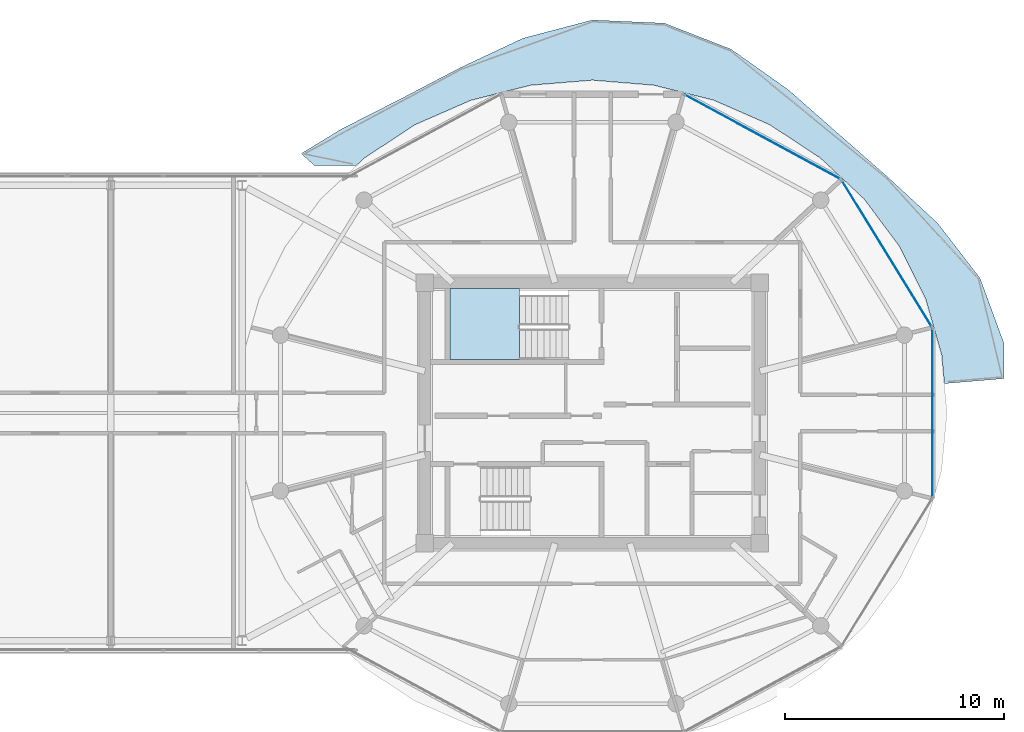
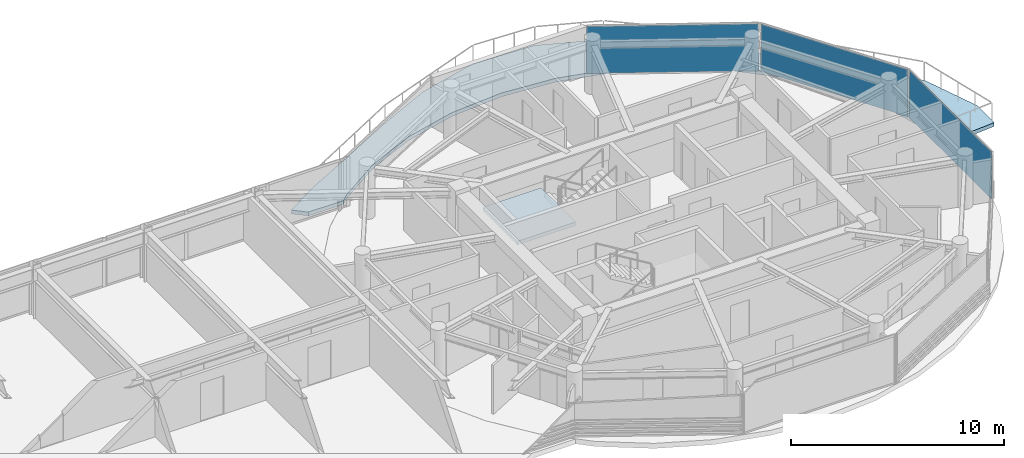
# One storey, part 13 of 23: 3 plates, 2 slabs, 4 elements without a shape of their own.
"""IFC4 building model written with IfcOpenShell, lengths in metres."""

from ifc_helpers import new_model, si_unit, direction, frame, origin, origin_2d, place, context, subcontext, project, spatial, polyline, rectangle, outline, extrude, source, transform, mapped, material, layer, layer_set, type_object, type_shapes, element, aggregate, save


model = new_model("IFC4")

# Units and contexts
model_context = context("Model", 3, precision=1e-05, world=origin(), true_north=direction((0.0, 1.0)))
body_context = subcontext(model_context, "Body", "Model", "MODEL_VIEW")
ifc_project = project(units=[si_unit("LENGTHUNIT", "METRE"), si_unit("AREAUNIT", "SQUARE_METRE"), si_unit("VOLUMEUNIT", "CUBIC_METRE"), si_unit("PLANEANGLEUNIT", "RADIAN"), si_unit("MASSUNIT", "GRAM", prefix="KILO")], contexts=[model_context])

# Site, building, storey
site_placement = place(None, origin())
site = spatial("IfcSite", under=ifc_project, at=site_placement, CompositionType="ELEMENT")
building_placement = place(site_placement, origin())
building = spatial("IfcBuilding", under=site, at=building_placement, Name="Norrkilde Senior Care Towers", CompositionType="ELEMENT")
storey_placement = place(building_placement, frame((0.0, 0.0, 229.14990234375)))
storey = spatial("IfcBuildingStorey", under=building, at=storey_placement, Name="L71", CompositionType="ELEMENT", Elevation=229.14990234375)

# Slab
ifc_material_1 = material(Name="Concrete C50/60", Category="concrete")
ifc_layer_1 = layer(ifc_material_1, 0.215087890625)
ifc_layer_set_1 = layer_set([ifc_layer_1], Name="Concrete C50/60")
slab_type_1 = type_object("IfcSlabType", Name="Sinusoidal Balcony Ribbon Slab 215", PredefinedType="FLOOR", material=ifc_layer_set_1)
slab_1_placement = place(storey_placement, frame((0.0, 0.0, -0.21484375)))
element("IfcSlab", 1, at=slab_1_placement, inside=storey, type_object=slab_type_1, Name="L71 Drum E Swirling Senior Balcony 1", PredefinedType="FLOOR", context=body_context, shape_type="SweptSolid", body=[
    extrude(outline(polyline([(21.95263671875, 15.766845703125), (24.831298828125, 17.118896484375), (28.0, 17.951904296875), (31.28271484375, 17.807373046875), (34.337158203125, 16.61572265625), (36.9619140625, 14.7548828125), (39.266845703125, 12.728271484375), (41.514892578125, 10.758544921875), (43.7705078125, 8.671142578125), (45.7060546875, 6.161865234375), (46.80224609375, 3.1748046875), (46.791259765625, 1.570068359375), (44.079833984375, 1.343505859375), (43.958740234375, 2.640380859375), (43.227783203125, 5.200439453125), (42.033935546875, 7.6025390625), (40.413818359375, 9.773681640625), (38.416259765625, 11.647705078125), (36.1025390625, 13.16796875), (33.54248046875, 14.2880859375), (30.81396484375, 14.97412109375), (28.0, 15.205078125), (25.18603515625, 14.97412109375), (22.45751953125, 14.2880859375), (19.8974609375, 13.16796875), (17.583740234375, 11.647705078125), (17.213134765625, 11.300048828125), (15.310546875, 11.300048828125), (14.69580078125, 11.847412109375), (16.54052734375, 12.972900390625), (19.2548828125, 14.354248046875), (21.95263671875, 15.766845703125)])), origin(), (0.0, 0.0, 1.0), 0.21484375),
])

# Stair, slab
ifc_material_2 = material(Name="Concrete C45/55", Category="concrete")
stair_type = type_object("IfcStairType", Name="Core Protected Dogleg Stair Typical 3050", PredefinedType="HALF_TURN_STAIR", material=ifc_material_2)
stair_placement = place(storey_placement, origin())
stair = element("IfcStair", 2, at=stair_placement, inside=storey, type_object=stair_type, Name="L71 Protected Core Stair E1", PredefinedType="HALF_TURN_STAIR")
ifc_layer_2 = layer(ifc_material_2, 0.199951171875)
ifc_layer_set_2 = layer_set([ifc_layer_2], Name="Concrete C45/55")
slab_type_2 = type_object("IfcSlabType", Name="Stair Landing Slab 200", PredefinedType="LANDING", material=ifc_layer_set_2)
slab_2_placement = place(storey_placement, frame((0.0, 0.0, 1.3251953125)))
slab_2 = element("IfcSlab", 3, at=slab_2_placement, type_object=slab_type_2, Name="ST-E1 landing 1", PredefinedType="LANDING", context=body_context, shape_type="SweptSolid", body=[
    extrude(outline(polyline([(24.659912109375, 5.68994140625), (21.5, 5.68994140625), (21.5, 2.449951171875), (24.659912109375, 2.449951171875), (24.659912109375, 5.68994140625)])), origin(), (0.0, 0.0, 1.0), 0.199951171875),
])
aggregate(stair, [slab_2])

# Curtain wall, plate
ifc_material_3 = material(Name="Triple Low-E Insulated Glazing", Category="glass")
ifc_layer_3 = layer(ifc_material_3, 0.18505859375)
ifc_layer_set_3 = layer_set([ifc_layer_3], Name="Triple Low-E Insulated Glazing")
curtain_wall_type = type_object("IfcCurtainWallType", Name="CW6 Zone 4 Crown Pavilion Curtain Wall", PredefinedType="NOTDEFINED", material=ifc_layer_set_3)
curtain_wall_1_placement = place(storey_placement, origin())
curtain_wall_1 = element("IfcCurtainWall", 4, at=curtain_wall_1_placement, inside=storey, type_object=curtain_wall_type, Name="L71 Drum E Curtain Wall 00", PredefinedType="NOTDEFINED")
ifc_layer_4 = layer(ifc_material_3, 0.035888671875)
ifc_layer_set_4 = layer_set([ifc_layer_4], Name="Triple Low-E Insulated Glazing")
plate_type = type_object("IfcPlateType", Name="Triple Low-E Vision Curtain Panel 36", PredefinedType="CURTAIN_PANEL", material=ifc_layer_set_4)
shared_shape_1 = source(origin(), body_context, "Body", "SweptSolid", [
    extrude(rectangle(XDim=7.80859375, YDim=0.035888671875, at=origin_2d()), origin(), (0.0, 0.0, 1.0), 2.68994140625),
])
plate_1_placement = place(storey_placement, frame((41.451171875, 7.282958984375, 0.06005859375), z_axis=(0.0, 0.0, 1.0), x_axis=(0.524252726748, -0.851562727283, 0.0)))
plate_1 = element("IfcPlate", 5, at=plate_1_placement, type_object=plate_type, Name="CW-6 panel 1.1", PredefinedType="CURTAIN_PANEL", context=body_context, shape_type="MappedRepresentation", body=[
    mapped(shared_shape_1, transform((0.0, 0.0, 0.0), x_axis=(1.0, 0.0, 0.0), y_axis=(0.0, 1.0, 0.0), z_axis=(0.0, 0.0, 1.0), scale=1.0)),
])
aggregate(curtain_wall_1, [plate_1])

curtain_wall_2_placement = place(storey_placement, origin())
curtain_wall_2 = element("IfcCurtainWall", 6, at=curtain_wall_2_placement, inside=storey, type_object=curtain_wall_type, Name="L71 Drum E Curtain Wall 01", PredefinedType="NOTDEFINED")
shared_shape_2 = source(origin(), body_context, "Body", "SweptSolid", [
    extrude(rectangle(XDim=8.0673828125, YDim=0.035888671875, at=origin_2d()), origin(), (0.0, 0.0, 1.0), 2.68994140625),
])
plate_2_placement = place(storey_placement, frame((35.76611328125, 12.61474609375, 0.06005859375), z_axis=(0.0, 0.0, 1.0), x_axis=(0.879373455772, -0.476132676136, 0.0)))
plate_2 = element("IfcPlate", 7, at=plate_2_placement, type_object=plate_type, Name="CW-6 panel 1.1", PredefinedType="CURTAIN_PANEL", context=body_context, shape_type="MappedRepresentation", body=[
    mapped(shared_shape_2, transform((0.0, 0.0, 0.0), x_axis=(1.0, 0.0, 0.0), y_axis=(0.0, 1.0, 0.0), z_axis=(0.0, 0.0, 1.0), scale=1.0)),
])
aggregate(curtain_wall_2, [plate_2])

curtain_wall_3_placement = place(storey_placement, origin())
curtain_wall_3 = element("IfcCurtainWall", 8, at=curtain_wall_3_placement, inside=storey, type_object=curtain_wall_type, Name="L71 Drum E Curtain Wall 11", PredefinedType="NOTDEFINED")
shared_shape_3 = source(origin(), body_context, "Body", "SweptSolid", [
    extrude(rectangle(XDim=7.676025390625, YDim=0.035888671875, at=origin_2d()), origin(), (0.0, 0.0, 1.0), 2.68994140625),
])
type_shapes(plate_type, [shared_shape_1, shared_shape_2, shared_shape_3])
plate_3_placement = place(storey_placement, frame((43.531982421875, 0.0, 0.06005859375), z_axis=(0.0, 0.0, 1.0), x_axis=(0.0, -1.0, 0.0)))
plate_3 = element("IfcPlate", 9, at=plate_3_placement, type_object=plate_type, Name="CW-6 panel 1.1", PredefinedType="CURTAIN_PANEL", context=body_context, shape_type="MappedRepresentation", body=[
    mapped(shared_shape_3, transform((0.0, 0.0, 0.0), x_axis=(1.0, 0.0, 0.0), y_axis=(0.0, 1.0, 0.0), z_axis=(0.0, 0.0, 1.0), scale=1.0)),
])
aggregate(curtain_wall_3, [plate_3])

save(model, "model.ifc")
